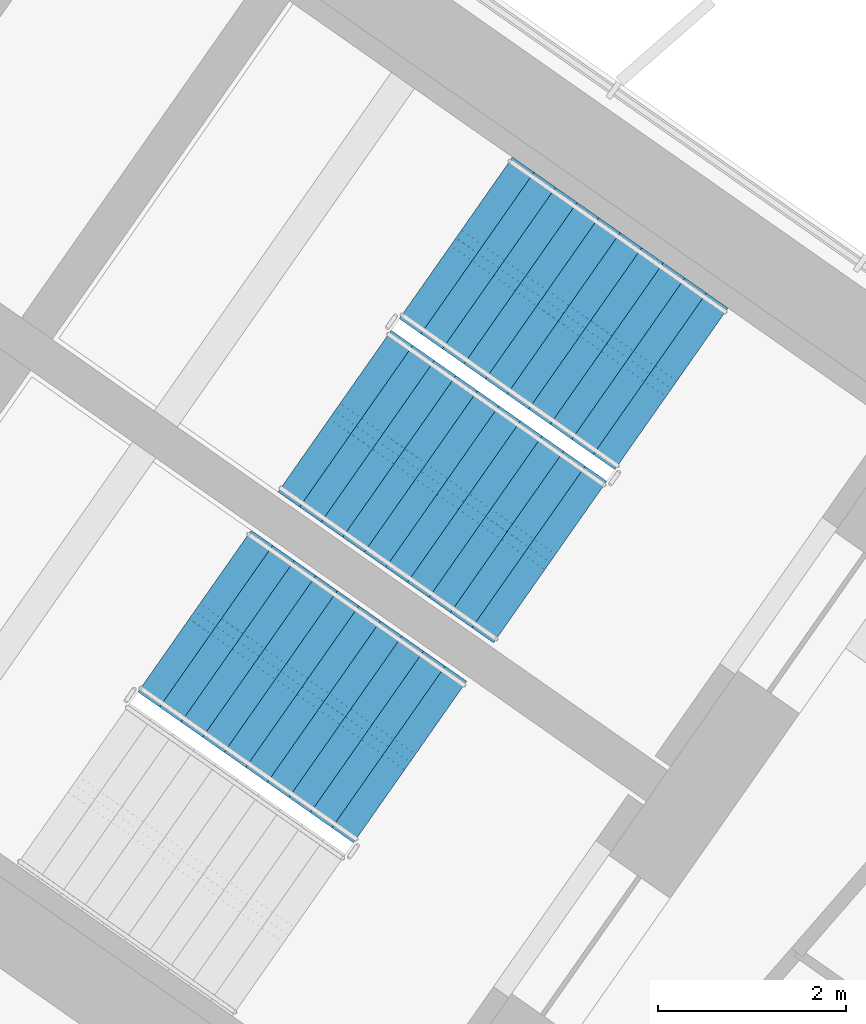
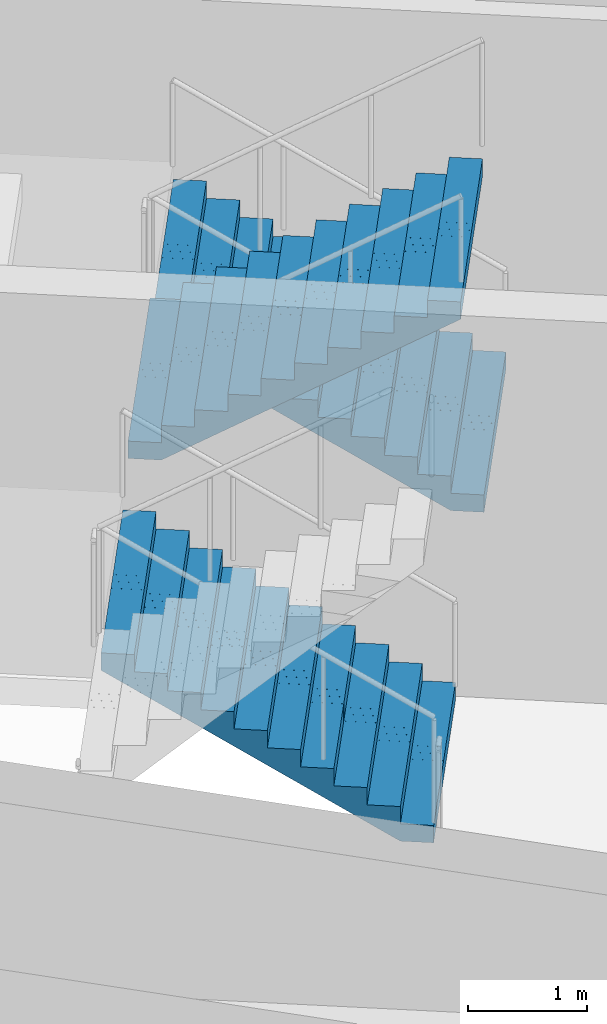
# One storey, part 16 of 21: 3 stair flights, 2 elements without a shape of their own.
"""IFC4 building model written with IfcOpenShell, lengths in metres."""

from ifc_helpers import new_model, si_unit, direction, frame, origin, place, context, subcontext, project, spatial, polyline, outline, extrude, material, type_object, element, aggregate, save


model = new_model("IFC4")

# Units and contexts
model_context = context("Model", 3, precision=1e-05, world=origin(), true_north=direction((0.0, 1.0)))
body_context = subcontext(model_context, "Body", "Model", "MODEL_VIEW")
ifc_project = project(units=[si_unit("LENGTHUNIT", "METRE"), si_unit("AREAUNIT", "SQUARE_METRE"), si_unit("VOLUMEUNIT", "CUBIC_METRE"), si_unit("PLANEANGLEUNIT", "RADIAN"), si_unit("MASSUNIT", "GRAM", prefix="KILO")], contexts=[model_context])

# Site, building, storey
site_placement = place(None, origin())
site = spatial("IfcSite", under=ifc_project, at=site_placement, CompositionType="ELEMENT")
building_placement = place(site_placement, origin())
building = spatial("IfcBuilding", under=site, at=building_placement, Name="Tel Ilan Convention Tower", CompositionType="ELEMENT")
storey_placement = place(building_placement, frame((0.0, 0.0, 159.300048828125)))
storey = spatial("IfcBuildingStorey", under=building, at=storey_placement, Name="L36", CompositionType="ELEMENT", Elevation=159.300048828125)

# Stair, stair flights
ifc_material_1 = material(Name="Concrete C40/50", Category="concrete")
stair_type = type_object("IfcStairType", Name="Pressurised Exit Stair 22 risers 177 mm", PredefinedType="HALF_TURN_STAIR", material=ifc_material_1)
stair_1_placement = place(storey_placement, origin())
stair_1 = element("IfcStair", 1, at=stair_1_placement, inside=storey, type_object=stair_type, Name="L36 Pressurised Stair S3", PredefinedType="HALF_TURN_STAIR")
ifc_material_2 = material(Name="Precast Concrete C40/50", Category="concrete")
stair_flight_type = type_object("IfcStairFlightType", Name="Concrete Stair Flight 2100 mm 22 risers 177 mm", PredefinedType="STRAIGHT", material=ifc_material_2)
stair_flight_1_placement = place(storey_placement, frame((24.25244140625, -7.032470703125, 0.0), z_axis=(0.0, 0.0, 1.0), x_axis=(-0.819152044289, 0.573576436351, 0.0)))
stair_flight_1 = element("IfcStairFlight", 2, at=stair_flight_1_placement, type_object=stair_flight_type, Name="S3 flight 1", NumberOfRisers=11, NumberOfTreads=10, PredefinedType="STRAIGHT", RiserHeight=0.177272727, TreadLength=0.28, context=body_context, shape_type="SweptSolid", body=[
    extrude(outline(polyline([(0.0, 0.0), (0.0, 0.17724609375), (0.280029296875, 0.17724609375), (0.280029296875, 0.3544921875), (0.56005859375, 0.3544921875), (0.56005859375, 0.53173828125), (0.840087890625, 0.53173828125), (0.840087890625, 0.708984375), (1.1201171875, 0.708984375), (1.1201171875, 0.886474609375), (1.39990234375, 0.886474609375), (1.39990234375, 1.063720703125), (1.679931640625, 1.063720703125), (1.679931640625, 1.240966796875), (1.9599609375, 1.240966796875), (1.9599609375, 1.418212890625), (2.239990234375, 1.418212890625), (2.239990234375, 1.595458984375), (2.52001953125, 1.595458984375), (2.52001953125, 1.772705078125), (2.800048828125, 1.772705078125), (2.800048828125, 1.949951171875), (2.800048828125, 1.59521484375), (0.2802734375, 0.0), (0.0, 0.0)])), frame((0.0, -0.100341796875, 0.0), z_axis=(0.0, -1.0, 0.0), x_axis=(1.0, 0.0, 0.0)), (0.0, 0.0, 1.0), 0.94970703125),
    extrude(outline(polyline([(0.0, 0.0), (0.0, 0.17724609375), (0.280029296875, 0.17724609375), (0.280029296875, 0.3544921875), (0.56005859375, 0.3544921875), (0.56005859375, 0.53173828125), (0.840087890625, 0.53173828125), (0.840087890625, 0.708984375), (1.1201171875, 0.708984375), (1.1201171875, 0.886474609375), (1.39990234375, 0.886474609375), (1.39990234375, 1.063720703125), (1.679931640625, 1.063720703125), (1.679931640625, 1.240966796875), (1.9599609375, 1.240966796875), (1.9599609375, 1.418212890625), (2.239990234375, 1.418212890625), (2.239990234375, 1.595458984375), (2.52001953125, 1.595458984375), (2.52001953125, 1.772705078125), (2.800048828125, 1.772705078125), (2.800048828125, 1.949951171875), (2.800048828125, 1.59521484375), (0.2802734375, 0.0), (0.0, 0.0)])), frame((0.0, -0.000244140625, 0.0), z_axis=(0.0, -1.0, 0.0), x_axis=(1.0, 0.0, 0.0)), (0.0, 0.0, 1.0), 0.099609375),
    extrude(outline(polyline([(0.0, 0.0), (0.0, 0.17724609375), (0.280029296875, 0.17724609375), (0.280029296875, 0.3544921875), (0.56005859375, 0.3544921875), (0.56005859375, 0.53173828125), (0.840087890625, 0.53173828125), (0.840087890625, 0.708984375), (1.1201171875, 0.708984375), (1.1201171875, 0.886474609375), (1.39990234375, 0.886474609375), (1.39990234375, 1.063720703125), (1.679931640625, 1.063720703125), (1.679931640625, 1.240966796875), (1.9599609375, 1.240966796875), (1.9599609375, 1.418212890625), (2.239990234375, 1.418212890625), (2.239990234375, 1.595458984375), (2.52001953125, 1.595458984375), (2.52001953125, 1.772705078125), (2.800048828125, 1.772705078125), (2.800048828125, 1.949951171875), (2.800048828125, 1.59521484375), (0.2802734375, 0.0), (0.0, 0.0)])), frame((0.0, 0.099853515625, 0.0), z_axis=(0.0, -1.0, 0.0), x_axis=(1.0, 0.0, 0.0)), (0.0, 0.0, 1.0), 0.099609375),
    extrude(outline(polyline([(0.0, 0.0), (0.0, 0.17724609375), (0.280029296875, 0.17724609375), (0.280029296875, 0.3544921875), (0.56005859375, 0.3544921875), (0.56005859375, 0.53173828125), (0.840087890625, 0.53173828125), (0.840087890625, 0.708984375), (1.1201171875, 0.708984375), (1.1201171875, 0.886474609375), (1.39990234375, 0.886474609375), (1.39990234375, 1.063720703125), (1.679931640625, 1.063720703125), (1.679931640625, 1.240966796875), (1.9599609375, 1.240966796875), (1.9599609375, 1.418212890625), (2.239990234375, 1.418212890625), (2.239990234375, 1.595458984375), (2.52001953125, 1.595458984375), (2.52001953125, 1.772705078125), (2.800048828125, 1.772705078125), (2.800048828125, 1.949951171875), (2.800048828125, 1.59521484375), (0.2802734375, 0.0), (0.0, 0.0)])), frame((0.0, 1.050048828125, 0.0), z_axis=(0.0, -1.0, 0.0), x_axis=(1.0, 0.0, 0.0)), (0.0, 0.0, 1.0), 0.94970703125),
])
stair_flight_2_placement = place(storey_placement, frame((20.668212890625, -7.26953125, 1.949951171875), z_axis=(0.0, 0.0, 1.0), x_axis=(0.819152044289, -0.573576436351, 0.0)))
stair_flight_2 = element("IfcStairFlight", 3, at=stair_flight_2_placement, type_object=stair_flight_type, Name="S3 flight 2", NumberOfRisers=11, NumberOfTreads=10, PredefinedType="STRAIGHT", RiserHeight=0.177272727, TreadLength=0.28, context=body_context, shape_type="SweptSolid", body=[
    extrude(outline(polyline([(0.0, 0.0), (0.0, 0.17724609375), (0.280029296875, 0.17724609375), (0.280029296875, 0.3544921875), (0.56005859375, 0.3544921875), (0.56005859375, 0.53173828125), (0.840087890625, 0.53173828125), (0.840087890625, 0.708984375), (1.1201171875, 0.708984375), (1.1201171875, 0.886474609375), (1.39990234375, 0.886474609375), (1.39990234375, 1.063720703125), (1.679931640625, 1.063720703125), (1.679931640625, 1.240966796875), (1.9599609375, 1.240966796875), (1.9599609375, 1.418212890625), (2.239990234375, 1.418212890625), (2.239990234375, 1.595458984375), (2.52001953125, 1.595458984375), (2.52001953125, 1.772705078125), (2.800048828125, 1.772705078125), (2.800048828125, 1.949951171875), (2.800048828125, 1.59521484375), (0.2802734375, 0.0), (0.0, 0.0)])), frame((0.0, -0.100341796875, 0.0), z_axis=(0.0, -1.0, 0.0), x_axis=(1.0, 0.0, 0.0)), (0.0, 0.0, 1.0), 0.94970703125),
    extrude(outline(polyline([(0.0, 0.0), (0.0, 0.17724609375), (0.280029296875, 0.17724609375), (0.280029296875, 0.3544921875), (0.56005859375, 0.3544921875), (0.56005859375, 0.53173828125), (0.840087890625, 0.53173828125), (0.840087890625, 0.708984375), (1.1201171875, 0.708984375), (1.1201171875, 0.886474609375), (1.39990234375, 0.886474609375), (1.39990234375, 1.063720703125), (1.679931640625, 1.063720703125), (1.679931640625, 1.240966796875), (1.9599609375, 1.240966796875), (1.9599609375, 1.418212890625), (2.239990234375, 1.418212890625), (2.239990234375, 1.595458984375), (2.52001953125, 1.595458984375), (2.52001953125, 1.772705078125), (2.800048828125, 1.772705078125), (2.800048828125, 1.949951171875), (2.800048828125, 1.59521484375), (0.2802734375, 0.0), (0.0, 0.0)])), frame((0.0, -0.000244140625, 0.0), z_axis=(0.0, -1.0, 0.0), x_axis=(1.0, 0.0, 0.0)), (0.0, 0.0, 1.0), 0.099609375),
    extrude(outline(polyline([(0.0, 0.0), (0.0, 0.17724609375), (0.280029296875, 0.17724609375), (0.280029296875, 0.3544921875), (0.56005859375, 0.3544921875), (0.56005859375, 0.53173828125), (0.840087890625, 0.53173828125), (0.840087890625, 0.708984375), (1.1201171875, 0.708984375), (1.1201171875, 0.886474609375), (1.39990234375, 0.886474609375), (1.39990234375, 1.063720703125), (1.679931640625, 1.063720703125), (1.679931640625, 1.240966796875), (1.9599609375, 1.240966796875), (1.9599609375, 1.418212890625), (2.239990234375, 1.418212890625), (2.239990234375, 1.595458984375), (2.52001953125, 1.595458984375), (2.52001953125, 1.772705078125), (2.800048828125, 1.772705078125), (2.800048828125, 1.949951171875), (2.800048828125, 1.59521484375), (0.2802734375, 0.0), (0.0, 0.0)])), frame((0.0, 0.099853515625, 0.0), z_axis=(0.0, -1.0, 0.0), x_axis=(1.0, 0.0, 0.0)), (0.0, 0.0, 1.0), 0.099609375),
    extrude(outline(polyline([(0.0, 0.0), (0.0, 0.17724609375), (0.280029296875, 0.17724609375), (0.280029296875, 0.3544921875), (0.56005859375, 0.3544921875), (0.56005859375, 0.53173828125), (0.840087890625, 0.53173828125), (0.840087890625, 0.708984375), (1.1201171875, 0.708984375), (1.1201171875, 0.886474609375), (1.39990234375, 0.886474609375), (1.39990234375, 1.063720703125), (1.679931640625, 1.063720703125), (1.679931640625, 1.240966796875), (1.9599609375, 1.240966796875), (1.9599609375, 1.418212890625), (2.239990234375, 1.418212890625), (2.239990234375, 1.595458984375), (2.52001953125, 1.595458984375), (2.52001953125, 1.772705078125), (2.800048828125, 1.772705078125), (2.800048828125, 1.949951171875), (2.800048828125, 1.59521484375), (0.2802734375, 0.0), (0.0, 0.0)])), frame((0.0, 1.050048828125, 0.0), z_axis=(0.0, -1.0, 0.0), x_axis=(1.0, 0.0, 0.0)), (0.0, 0.0, 1.0), 0.94970703125),
])
aggregate(stair_1, [stair_flight_1, stair_flight_2])

# Stair, stair flight
stair_2_placement = place(storey_placement, origin())
stair_2 = element("IfcStair", 4, at=stair_2_placement, inside=storey, type_object=stair_type, Name="L36 Pressurised Stair S4", PredefinedType="HALF_TURN_STAIR")
stair_flight_3_placement = place(storey_placement, frame((21.470458984375, -11.00537109375, 0.0), z_axis=(0.0, 0.0, 1.0), x_axis=(-0.819152044289, 0.573576436351, 0.0)))
stair_flight_3 = element("IfcStairFlight", 5, at=stair_flight_3_placement, type_object=stair_flight_type, Name="S4 flight 1", NumberOfRisers=11, NumberOfTreads=10, PredefinedType="STRAIGHT", RiserHeight=0.177272727, TreadLength=0.28, context=body_context, shape_type="SweptSolid", body=[
    extrude(outline(polyline([(0.0, 0.0), (0.0, 0.17724609375), (0.280029296875, 0.17724609375), (0.280029296875, 0.3544921875), (0.56005859375, 0.3544921875), (0.56005859375, 0.53173828125), (0.840087890625, 0.53173828125), (0.840087890625, 0.708984375), (1.1201171875, 0.708984375), (1.1201171875, 0.886474609375), (1.39990234375, 0.886474609375), (1.39990234375, 1.063720703125), (1.679931640625, 1.063720703125), (1.679931640625, 1.240966796875), (1.9599609375, 1.240966796875), (1.9599609375, 1.418212890625), (2.239990234375, 1.418212890625), (2.239990234375, 1.595458984375), (2.52001953125, 1.595458984375), (2.52001953125, 1.772705078125), (2.800048828125, 1.772705078125), (2.800048828125, 1.949951171875), (2.800048828125, 1.59521484375), (0.2802734375, 0.0), (0.0, 0.0)])), frame((0.0, -0.100341796875, 0.0), z_axis=(0.0, -1.0, 0.0), x_axis=(1.0, 0.0, 0.0)), (0.0, 0.0, 1.0), 0.94970703125),
    extrude(outline(polyline([(0.0, 0.0), (0.0, 0.17724609375), (0.280029296875, 0.17724609375), (0.280029296875, 0.3544921875), (0.56005859375, 0.3544921875), (0.56005859375, 0.53173828125), (0.840087890625, 0.53173828125), (0.840087890625, 0.708984375), (1.1201171875, 0.708984375), (1.1201171875, 0.886474609375), (1.39990234375, 0.886474609375), (1.39990234375, 1.063720703125), (1.679931640625, 1.063720703125), (1.679931640625, 1.240966796875), (1.9599609375, 1.240966796875), (1.9599609375, 1.418212890625), (2.239990234375, 1.418212890625), (2.239990234375, 1.595458984375), (2.52001953125, 1.595458984375), (2.52001953125, 1.772705078125), (2.800048828125, 1.772705078125), (2.800048828125, 1.949951171875), (2.800048828125, 1.59521484375), (0.2802734375, 0.0), (0.0, 0.0)])), frame((0.0, -0.000244140625, 0.0), z_axis=(0.0, -1.0, 0.0), x_axis=(1.0, 0.0, 0.0)), (0.0, 0.0, 1.0), 0.099609375),
    extrude(outline(polyline([(0.0, 0.0), (0.0, 0.17724609375), (0.280029296875, 0.17724609375), (0.280029296875, 0.3544921875), (0.56005859375, 0.3544921875), (0.56005859375, 0.53173828125), (0.840087890625, 0.53173828125), (0.840087890625, 0.708984375), (1.1201171875, 0.708984375), (1.1201171875, 0.886474609375), (1.39990234375, 0.886474609375), (1.39990234375, 1.063720703125), (1.679931640625, 1.063720703125), (1.679931640625, 1.240966796875), (1.9599609375, 1.240966796875), (1.9599609375, 1.418212890625), (2.239990234375, 1.418212890625), (2.239990234375, 1.595458984375), (2.52001953125, 1.595458984375), (2.52001953125, 1.772705078125), (2.800048828125, 1.772705078125), (2.800048828125, 1.949951171875), (2.800048828125, 1.59521484375), (0.2802734375, 0.0), (0.0, 0.0)])), frame((0.0, 0.099853515625, 0.0), z_axis=(0.0, -1.0, 0.0), x_axis=(1.0, 0.0, 0.0)), (0.0, 0.0, 1.0), 0.099609375),
    extrude(outline(polyline([(0.0, 0.0), (0.0, 0.17724609375), (0.280029296875, 0.17724609375), (0.280029296875, 0.3544921875), (0.56005859375, 0.3544921875), (0.56005859375, 0.53173828125), (0.840087890625, 0.53173828125), (0.840087890625, 0.708984375), (1.1201171875, 0.708984375), (1.1201171875, 0.886474609375), (1.39990234375, 0.886474609375), (1.39990234375, 1.063720703125), (1.679931640625, 1.063720703125), (1.679931640625, 1.240966796875), (1.9599609375, 1.240966796875), (1.9599609375, 1.418212890625), (2.239990234375, 1.418212890625), (2.239990234375, 1.595458984375), (2.52001953125, 1.595458984375), (2.52001953125, 1.772705078125), (2.800048828125, 1.772705078125), (2.800048828125, 1.949951171875), (2.800048828125, 1.59521484375), (0.2802734375, 0.0), (0.0, 0.0)])), frame((0.0, 1.050048828125, 0.0), z_axis=(0.0, -1.0, 0.0), x_axis=(1.0, 0.0, 0.0)), (0.0, 0.0, 1.0), 0.94970703125),
])
aggregate(stair_2, [stair_flight_3])

save(model, "model.ifc")
